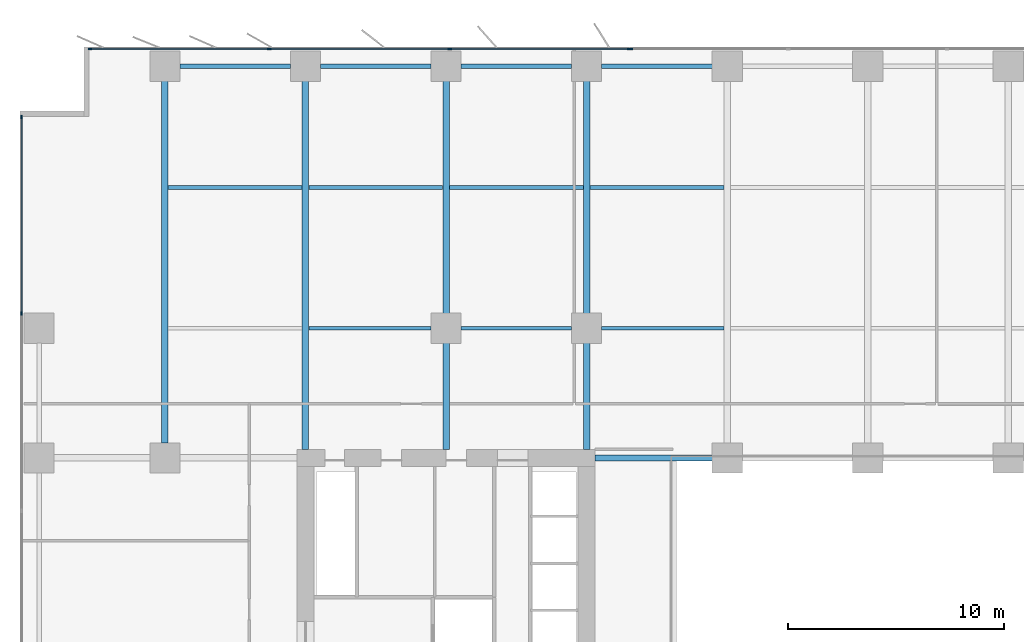
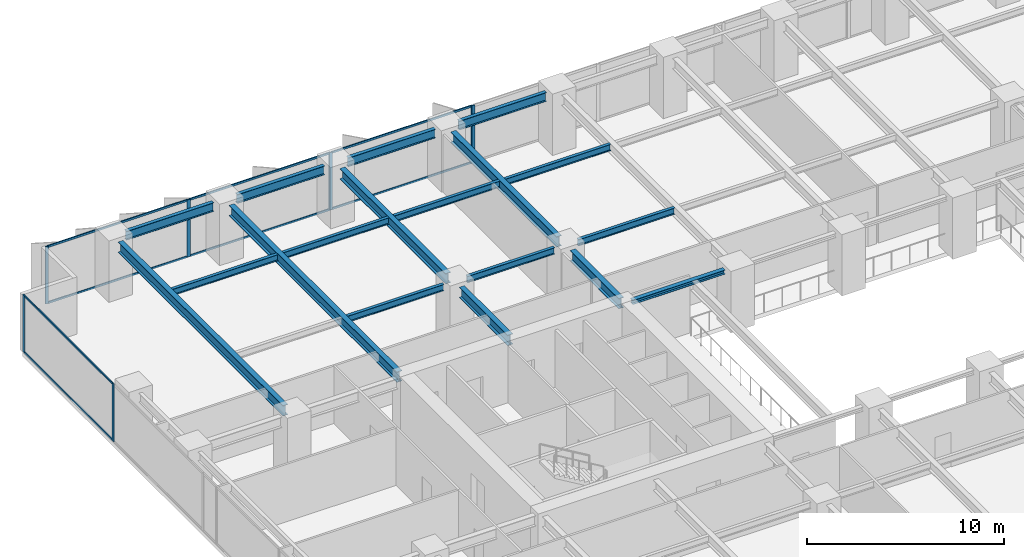
# One storey, part 7 of 20: 18 beams, 15 members, 3 elements without a shape of their own.
"""IFC4 building model written with IfcOpenShell, lengths in metres."""

from ifc_helpers import new_model, si_unit, direction, frame, origin, origin_2d, place, context, subcontext, project, spatial, rectangle, i_section, extrude, material, layer, layer_set, material_profile, profile_set, type_object, element, aggregate, save


model = new_model("IFC4")

# Units and contexts
model_context = context("Model", 3, precision=1e-05, world=origin(), true_north=direction((0.0, 1.0)))
body_context = subcontext(model_context, "Body", "Model", "MODEL_VIEW")
ifc_project = project(units=[si_unit("LENGTHUNIT", "METRE"), si_unit("AREAUNIT", "SQUARE_METRE"), si_unit("VOLUMEUNIT", "CUBIC_METRE"), si_unit("PLANEANGLEUNIT", "RADIAN"), si_unit("MASSUNIT", "GRAM", prefix="KILO")], contexts=[model_context])

# Site, building, storey
site_placement = place(None, origin())
site = spatial("IfcSite", under=ifc_project, at=site_placement, CompositionType="ELEMENT")
building_placement = place(site_placement, origin())
building = spatial("IfcBuilding", under=site, at=building_placement, Name="Putna Gate Headquarters", CompositionType="ELEMENT")
storey_placement = place(building_placement, frame((0.0, 0.0, 58.199951171875)))
storey = spatial("IfcBuildingStorey", under=building, at=storey_placement, Name="L13", CompositionType="ELEMENT", Elevation=58.199951171875)

# Beams
ifc_material_1 = material(Name="Steel S355J2", Category="steel")
ifc_material_profile_1 = material_profile(ifc_material_1, i_section(OverallWidth=0.260009765625, OverallDepth=0.260009765625, WebThickness=0.010009765625, FlangeThickness=0.017578125, at=origin_2d()), Name="Steel S355J2")
ifc_profile_set_1 = profile_set([ifc_material_profile_1], Name="Steel S355J2")
beam_type_1 = type_object("IfcBeamType", Name="BM-ATRIUM-HEB260", PredefinedType="BEAM", material=ifc_profile_set_1)
beam_1_placement = place(storey_placement, frame((26.385009765625, 33.0, 3.420166015625), z_axis=(1.0, 0.0, 0.0), x_axis=(0.0, 1.0, 0.0)))
element("IfcBeam", 1, at=beam_1_placement, inside=storey, type_object=beam_type_1, Name="L13 Atrium Edge Beam AN1", PredefinedType="BEAM", context=body_context, shape_type="SweptSolid", body=[
    extrude(i_section(OverallWidth=0.260009765625, OverallDepth=0.260009765625, WebThickness=0.010009765625, FlangeThickness=0.017578125, at=origin_2d()), origin(), (0.0, 0.0, 1.0), 5.427001953125),
])
ifc_material_profile_2 = material_profile(ifc_material_1, i_section(OverallWidth=0.300048828125, OverallDepth=0.64990234375, WebThickness=0.01611328125, FlangeThickness=0.031005859375, at=origin_2d()), Name="Steel S355J2")
ifc_profile_set_2 = profile_set([ifc_material_profile_2], Name="Steel S355J2")
beam_type_2 = type_object("IfcBeamType", Name="BM-GIRD-Z1-HEB650", PredefinedType="USERDEFINED", material=ifc_profile_set_2)
beam_2_placement = place(storey_placement, frame((6.5, 33.68798828125, 3.22509765625), z_axis=(0.0, 1.0, 0.0), x_axis=(-1.0, 0.0, 0.0)))
element("IfcBeam", 2, at=beam_2_placement, inside=storey, type_object=beam_type_2, Name="L13 North Primary Girder X6", ObjectType="GIRDER", PredefinedType="USERDEFINED", context=body_context, shape_type="SweptSolid", body=[
    extrude(i_section(OverallWidth=0.300048828125, OverallDepth=0.64990234375, WebThickness=0.01611328125, FlangeThickness=0.031005859375, at=origin_2d()), origin(), (0.0, 0.0, 1.0), 16.743896484375),
])
beam_3_placement = place(storey_placement, frame((13.0, 33.385009765625, 3.22509765625), z_axis=(0.0, 1.0, 0.0), x_axis=(-1.0, 0.0, 0.0)))
element("IfcBeam", 3, at=beam_3_placement, inside=storey, type_object=beam_type_2, Name="L13 North Primary Girder X13", ObjectType="GIRDER", PredefinedType="USERDEFINED", context=body_context, shape_type="SweptSolid", body=[
    extrude(i_section(OverallWidth=0.300048828125, OverallDepth=0.64990234375, WebThickness=0.01611328125, FlangeThickness=0.031005859375, at=origin_2d()), origin(), (0.0, 0.0, 1.0), 17.046875),
])
beam_4_placement = place(storey_placement, frame((19.5, 33.385009765625, 3.22509765625), z_axis=(0.0, 1.0, 0.0), x_axis=(-1.0, 0.0, 0.0)))
element("IfcBeam", 4, at=beam_4_placement, inside=storey, type_object=beam_type_2, Name="L13 North Primary Girder X19-1", ObjectType="GIRDER", PredefinedType="USERDEFINED", context=body_context, shape_type="SweptSolid", body=[
    extrude(i_section(OverallWidth=0.300048828125, OverallDepth=0.64990234375, WebThickness=0.01611328125, FlangeThickness=0.031005859375, at=origin_2d()), origin(), (0.0, 0.0, 1.0), 4.927001953125),
])
beam_5_placement = place(storey_placement, frame((19.5, 39.68798828125, 3.22509765625), z_axis=(0.0, 1.0, 0.0), x_axis=(-1.0, 0.0, 0.0)))
element("IfcBeam", 5, at=beam_5_placement, inside=storey, type_object=beam_type_2, Name="L13 North Primary Girder X19-2", ObjectType="GIRDER", PredefinedType="USERDEFINED", context=body_context, shape_type="SweptSolid", body=[
    extrude(i_section(OverallWidth=0.300048828125, OverallDepth=0.64990234375, WebThickness=0.01611328125, FlangeThickness=0.031005859375, at=origin_2d()), origin(), (0.0, 0.0, 1.0), 10.743896484375),
])
beam_6_placement = place(storey_placement, frame((26.0, 33.385009765625, 3.22509765625), z_axis=(0.0, 1.0, 0.0), x_axis=(-1.0, 0.0, 0.0)))
element("IfcBeam", 6, at=beam_6_placement, inside=storey, type_object=beam_type_2, Name="L13 North Primary Girder X26-1", ObjectType="GIRDER", PredefinedType="USERDEFINED", context=body_context, shape_type="SweptSolid", body=[
    extrude(i_section(OverallWidth=0.300048828125, OverallDepth=0.64990234375, WebThickness=0.01611328125, FlangeThickness=0.031005859375, at=origin_2d()), origin(), (0.0, 0.0, 1.0), 4.927001953125),
])
beam_7_placement = place(storey_placement, frame((26.0, 39.68798828125, 3.22509765625), z_axis=(0.0, 1.0, 0.0), x_axis=(-1.0, 0.0, 0.0)))
element("IfcBeam", 7, at=beam_7_placement, inside=storey, type_object=beam_type_2, Name="L13 North Primary Girder X26-2", ObjectType="GIRDER", PredefinedType="USERDEFINED", context=body_context, shape_type="SweptSolid", body=[
    extrude(i_section(OverallWidth=0.300048828125, OverallDepth=0.64990234375, WebThickness=0.01611328125, FlangeThickness=0.031005859375, at=origin_2d()), origin(), (0.0, 0.0, 1.0), 10.743896484375),
])
ifc_material_profile_3 = material_profile(ifc_material_1, i_section(OverallWidth=0.179931640625, OverallDepth=0.39990234375, WebThickness=0.008544921875, FlangeThickness=0.013427734375, at=origin_2d()), Name="Steel S355J2")
ifc_profile_set_3 = profile_set([ifc_material_profile_3], Name="Steel S355J2")
beam_type_3 = type_object("IfcBeamType", Name="BM-SEC-Z1-IPE400", PredefinedType="BEAM", material=ifc_profile_set_3)
beam_8_placement = place(storey_placement, frame((6.654052734375, 45.5, 3.35009765625), z_axis=(1.0, 0.0, 0.0), x_axis=(0.0, 1.0, 0.0)))
element("IfcBeam", 8, at=beam_8_placement, inside=storey, type_object=beam_type_3, Name="L13 North Secondary Beam 1", PredefinedType="BEAM", context=body_context, shape_type="SweptSolid", body=[
    extrude(i_section(OverallWidth=0.179931640625, OverallDepth=0.39990234375, WebThickness=0.008544921875, FlangeThickness=0.013427734375, at=origin_2d()), origin(), (0.0, 0.0, 1.0), 6.19189453125),
])
beam_9_placement = place(storey_placement, frame((13.154052734375, 39.0, 3.35009765625), z_axis=(1.0, 0.0, 0.0), x_axis=(0.0, 1.0, 0.0)))
element("IfcBeam", 9, at=beam_9_placement, inside=storey, type_object=beam_type_3, Name="L13 North Secondary Beam 2", PredefinedType="BEAM", context=body_context, shape_type="SweptSolid", body=[
    extrude(i_section(OverallWidth=0.179931640625, OverallDepth=0.39990234375, WebThickness=0.008544921875, FlangeThickness=0.013427734375, at=origin_2d()), origin(), (0.0, 0.0, 1.0), 5.657958984375),
])
beam_10_placement = place(storey_placement, frame((13.154052734375, 45.5, 3.35009765625), z_axis=(1.0, 0.0, 0.0), x_axis=(0.0, 1.0, 0.0)))
element("IfcBeam", 10, at=beam_10_placement, inside=storey, type_object=beam_type_3, Name="L13 North Secondary Beam 2", PredefinedType="BEAM", context=body_context, shape_type="SweptSolid", body=[
    extrude(i_section(OverallWidth=0.179931640625, OverallDepth=0.39990234375, WebThickness=0.008544921875, FlangeThickness=0.013427734375, at=origin_2d()), origin(), (0.0, 0.0, 1.0), 6.19189453125),
])
beam_11_placement = place(storey_placement, frame((20.18798828125, 39.0, 3.35009765625), z_axis=(1.0, 0.0, 0.0), x_axis=(0.0, 1.0, 0.0)))
element("IfcBeam", 11, at=beam_11_placement, inside=storey, type_object=beam_type_3, Name="L13 North Secondary Beam 3", PredefinedType="BEAM", context=body_context, shape_type="SweptSolid", body=[
    extrude(i_section(OverallWidth=0.179931640625, OverallDepth=0.39990234375, WebThickness=0.008544921875, FlangeThickness=0.013427734375, at=origin_2d()), origin(), (0.0, 0.0, 1.0), 5.1240234375),
])
beam_12_placement = place(storey_placement, frame((19.654052734375, 45.5, 3.35009765625), z_axis=(1.0, 0.0, 0.0), x_axis=(0.0, 1.0, 0.0)))
element("IfcBeam", 12, at=beam_12_placement, inside=storey, type_object=beam_type_3, Name="L13 North Secondary Beam 3", PredefinedType="BEAM", context=body_context, shape_type="SweptSolid", body=[
    extrude(i_section(OverallWidth=0.179931640625, OverallDepth=0.39990234375, WebThickness=0.008544921875, FlangeThickness=0.013427734375, at=origin_2d()), origin(), (0.0, 0.0, 1.0), 6.19189453125),
])
beam_13_placement = place(storey_placement, frame((26.68798828125, 39.0, 3.35009765625), z_axis=(1.0, 0.0, 0.0), x_axis=(0.0, 1.0, 0.0)))
element("IfcBeam", 13, at=beam_13_placement, inside=storey, type_object=beam_type_3, Name="L13 North Secondary Beam 4", PredefinedType="BEAM", context=body_context, shape_type="SweptSolid", body=[
    extrude(i_section(OverallWidth=0.179931640625, OverallDepth=0.39990234375, WebThickness=0.008544921875, FlangeThickness=0.013427734375, at=origin_2d()), origin(), (0.0, 0.0, 1.0), 5.657958984375),
])
beam_14_placement = place(storey_placement, frame((26.154052734375, 45.5, 3.35009765625), z_axis=(1.0, 0.0, 0.0), x_axis=(0.0, 1.0, 0.0)))
element("IfcBeam", 14, at=beam_14_placement, inside=storey, type_object=beam_type_3, Name="L13 North Secondary Beam 4", PredefinedType="BEAM", context=body_context, shape_type="SweptSolid", body=[
    extrude(i_section(OverallWidth=0.179931640625, OverallDepth=0.39990234375, WebThickness=0.008544921875, FlangeThickness=0.013427734375, at=origin_2d()), origin(), (0.0, 0.0, 1.0), 6.19189453125),
])
ifc_material_profile_4 = material_profile(ifc_material_1, i_section(OverallWidth=0.2099609375, OverallDepth=0.550048828125, WebThickness=0.010986328125, FlangeThickness=0.01708984375, at=origin_2d()), Name="Steel S355J2")
ifc_profile_set_4 = profile_set([ifc_material_profile_4], Name="Steel S355J2")
beam_type_4 = type_object("IfcBeamType", Name="BM-SPAN-Z1-IPE550", PredefinedType="SPANDREL", material=ifc_profile_set_4)
for number, where, z_axis, x_axis, name in (
    (15, (7.18798828125, 51.1201171875, 3.275146484375), (1.0, 0.0, 0.0), (0.0, 1.0, 0.0), "L13 N Perimeter Spandrel 1"),
    (16, (13.68798828125, 51.1201171875, 3.275146484375), (1.0, 0.0, 0.0), (0.0, 1.0, 0.0), "L13 N Perimeter Spandrel 2"),
    (17, (20.18798828125, 51.1201171875, 3.275146484375), (1.0, 0.0, 0.0), (0.0, 1.0, 0.0), "L13 N Perimeter Spandrel 3"),
    (18, (26.68798828125, 51.1201171875, 3.275146484375), (1.0, 0.0, 0.0), (0.0, 1.0, 0.0), "L13 N Perimeter Spandrel 4"),
):
    element("IfcBeam", number, at=place(storey_placement, frame(where, z_axis=z_axis, x_axis=x_axis)), inside=storey, type_object=beam_type_4, Name=name, PredefinedType="SPANDREL", context=body_context, shape_type="SweptSolid", body=[
        extrude(i_section(OverallWidth=0.2099609375, OverallDepth=0.550048828125, WebThickness=0.010986328125, FlangeThickness=0.01708984375, at=origin_2d()), origin(), (0.0, 0.0, 1.0), 5.1240234375),
    ])

# Curtain wall, members
ifc_material_2 = material(Name="Anodised bronze aluminium curtain wall", Category="aluminium")
ifc_layer_1 = layer(ifc_material_2, 0.179931640625)
ifc_layer_set_1 = layer_set([ifc_layer_1], Name="Anodised bronze aluminium curtain wall")
curtain_wall_type_1 = type_object("IfcCurtainWallType", Name="CW-SYS-Z1", PredefinedType="USERDEFINED", material=ifc_layer_set_1)
curtain_wall_1_placement = place(storey_placement, origin())
curtain_wall_1 = element("IfcCurtainWall", 19, at=curtain_wall_1_placement, inside=storey, type_object=curtain_wall_type_1, Name="L13 North West Curtain Wall", ObjectType="STICK CURTAIN WALL", PredefinedType="USERDEFINED")
ifc_material_3 = material(Name="Anodised bronze aluminium EN AW-6060", Category="aluminium")
ifc_material_profile_5 = material_profile(ifc_material_3, rectangle(XDim=0.070068359375, YDim=0.179931640625, at=origin_2d()), Name="Anodised bronze aluminium EN AW-6060")
ifc_profile_set_5 = profile_set([ifc_material_profile_5], Name="Anodised bronze aluminium EN AW-6060")
member_type_1 = type_object("IfcMemberType", Name="MULL-CWM-1", PredefinedType="MULLION", material=ifc_profile_set_5)
member_1_placement = place(storey_placement, frame((3.034912109375, 51.919921875, 0.0), z_axis=(0.0, 0.0, 1.0), x_axis=(0.0, 1.0, 0.0)))
member_1 = element("IfcMember", 20, at=member_1_placement, type_object=member_type_1, Name="CWS-1 mullion 1", PredefinedType="MULLION", context=body_context, shape_type="SweptSolid", body=[
    extrude(rectangle(XDim=0.070068359375, YDim=0.179931640625, at=origin_2d()), origin(), (0.0, 0.0, 1.0), 3.550048828125),
])
member_2_placement = place(storey_placement, frame((11.333251953125, 51.919921875, 0.0), z_axis=(0.0, 0.0, 1.0), x_axis=(0.0, 1.0, 0.0)))
member_2 = element("IfcMember", 21, at=member_2_placement, type_object=member_type_1, Name="CWS-1 mullion 2", PredefinedType="MULLION", context=body_context, shape_type="SweptSolid", body=[
    extrude(rectangle(XDim=0.070068359375, YDim=0.179931640625, at=origin_2d()), origin(), (0.0, 0.0, 1.0), 3.550048828125),
])
member_3_placement = place(storey_placement, frame((19.666748046875, 51.919921875, 0.0), z_axis=(0.0, 0.0, 1.0), x_axis=(0.0, 1.0, 0.0)))
member_3 = element("IfcMember", 22, at=member_3_placement, type_object=member_type_1, Name="CWS-1 mullion 3", PredefinedType="MULLION", context=body_context, shape_type="SweptSolid", body=[
    extrude(rectangle(XDim=0.070068359375, YDim=0.179931640625, at=origin_2d()), origin(), (0.0, 0.0, 1.0), 3.550048828125),
])
member_4_placement = place(storey_placement, frame((27.965087890625, 51.919921875, 0.0), z_axis=(0.0, 0.0, 1.0), x_axis=(0.0, 1.0, 0.0)))
member_4 = element("IfcMember", 23, at=member_4_placement, type_object=member_type_1, Name="CWS-1 mullion 4", PredefinedType="MULLION", context=body_context, shape_type="SweptSolid", body=[
    extrude(rectangle(XDim=0.070068359375, YDim=0.179931640625, at=origin_2d()), origin(), (0.0, 0.0, 1.0), 3.550048828125),
])

curtain_wall_2_placement = place(storey_placement, origin())
curtain_wall_2 = element("IfcCurtainWall", 24, at=curtain_wall_2_placement, inside=storey, type_object=curtain_wall_type_1, Name="L13 West Curtain Wall", ObjectType="STICK CURTAIN WALL", PredefinedType="USERDEFINED")
member_5_placement = place(storey_placement, frame((-0.1201171875, 39.679931640625, 0.0), z_axis=(0.0, 0.0, 1.0), x_axis=(-1.0, 0.0, 0.0)))
member_5 = element("IfcMember", 25, at=member_5_placement, type_object=member_type_1, Name="CWS-1 mullion 5", PredefinedType="MULLION", context=body_context, shape_type="SweptSolid", body=[
    extrude(rectangle(XDim=0.070068359375, YDim=0.179931640625, at=origin_2d()), origin(), (0.0, 0.0, 1.0), 3.550048828125),
])
member_6_placement = place(storey_placement, frame((-0.1201171875, 48.764892578125, 0.0), z_axis=(0.0, 0.0, 1.0), x_axis=(-1.0, 0.0, 0.0)))
member_6 = element("IfcMember", 26, at=member_6_placement, type_object=member_type_1, Name="CWS-1 mullion 6", PredefinedType="MULLION", context=body_context, shape_type="SweptSolid", body=[
    extrude(rectangle(XDim=0.070068359375, YDim=0.179931640625, at=origin_2d()), origin(), (0.0, 0.0, 1.0), 3.550048828125),
])

# Curtain wall, member
ifc_layer_2 = layer(ifc_material_2, 0.179931640625)
ifc_layer_set_2 = layer_set([ifc_layer_2], Name="Anodised bronze aluminium curtain wall")
curtain_wall_type_2 = type_object("IfcCurtainWallType", Name="CW-SYS-ATR", PredefinedType="USERDEFINED", material=ifc_layer_set_2)
curtain_wall_3_placement = place(storey_placement, origin())
curtain_wall_3 = element("IfcCurtainWall", 27, at=curtain_wall_3_placement, inside=storey, type_object=curtain_wall_type_2, Name="L13 North Atrium Clear Glazing", ObjectType="ATRIUM GLAZING", PredefinedType="USERDEFINED")
ifc_material_profile_6 = material_profile(ifc_material_3, rectangle(XDim=0.070068359375, YDim=0.179931640625, at=origin_2d()), Name="Anodised bronze aluminium EN AW-6060")
ifc_profile_set_6 = profile_set([ifc_material_profile_6], Name="Anodised bronze aluminium EN AW-6060")
member_type_2 = type_object("IfcMemberType", Name="MULL-CWM-AT", PredefinedType="MULLION", material=ifc_profile_set_6)
member_7_placement = place(storey_placement, frame((28.034912109375, 51.919921875, 0.0), z_axis=(0.0, 0.0, 1.0), x_axis=(0.0, 1.0, 0.0)))
member_7 = element("IfcMember", 28, at=member_7_placement, type_object=member_type_2, Name="CWS-AT mullion 1", PredefinedType="MULLION", context=body_context, shape_type="SweptSolid", body=[
    extrude(rectangle(XDim=0.070068359375, YDim=0.179931640625, at=origin_2d()), origin(), (0.0, 0.0, 1.0), 3.550048828125),
])
aggregate(curtain_wall_3, [member_7])

# Member
ifc_material_profile_7 = material_profile(ifc_material_3, rectangle(XDim=0.06494140625, YDim=0.1201171875, at=origin_2d()), Name="Anodised bronze aluminium EN AW-6060")
ifc_profile_set_7 = profile_set([ifc_material_profile_7], Name="Anodised bronze aluminium EN AW-6060")
member_type_3 = type_object("IfcMemberType", Name="TRAN-CWT-1", PredefinedType="USERDEFINED", material=ifc_profile_set_7)
member_8_placement = place(storey_placement, frame((3.070068359375, 51.919921875, 0.032470703125), z_axis=(1.0, 0.0, 0.0), x_axis=(0.0, 1.0, 0.0)))
member_8 = element("IfcMember", 29, at=member_8_placement, type_object=member_type_3, Name="CWS-1 transom 1.1", ObjectType="TRANSOM", PredefinedType="USERDEFINED", context=body_context, shape_type="SweptSolid", body=[
    extrude(rectangle(XDim=0.06494140625, YDim=0.1201171875, at=origin_2d()), origin(), (0.0, 0.0, 1.0), 8.228271484375),
])

member_9_placement = place(storey_placement, frame((3.070068359375, 51.919921875, 3.517578125), z_axis=(1.0, 0.0, 0.0), x_axis=(0.0, 1.0, 0.0)))
member_9 = element("IfcMember", 30, at=member_9_placement, type_object=member_type_3, Name="CWS-1 transom 1.2", ObjectType="TRANSOM", PredefinedType="USERDEFINED", context=body_context, shape_type="SweptSolid", body=[
    extrude(rectangle(XDim=0.06494140625, YDim=0.1201171875, at=origin_2d()), origin(), (0.0, 0.0, 1.0), 8.228271484375),
])

member_10_placement = place(storey_placement, frame((11.368408203125, 51.919921875, 0.032470703125), z_axis=(1.0, 0.0, 0.0), x_axis=(0.0, 1.0, 0.0)))
member_10 = element("IfcMember", 31, at=member_10_placement, type_object=member_type_3, Name="CWS-1 transom 2.1", ObjectType="TRANSOM", PredefinedType="USERDEFINED", context=body_context, shape_type="SweptSolid", body=[
    extrude(rectangle(XDim=0.06494140625, YDim=0.1201171875, at=origin_2d()), origin(), (0.0, 0.0, 1.0), 8.26318359375),
])

member_11_placement = place(storey_placement, frame((11.368408203125, 51.919921875, 3.517578125), z_axis=(1.0, 0.0, 0.0), x_axis=(0.0, 1.0, 0.0)))
member_11 = element("IfcMember", 32, at=member_11_placement, type_object=member_type_3, Name="CWS-1 transom 2.2", ObjectType="TRANSOM", PredefinedType="USERDEFINED", context=body_context, shape_type="SweptSolid", body=[
    extrude(rectangle(XDim=0.06494140625, YDim=0.1201171875, at=origin_2d()), origin(), (0.0, 0.0, 1.0), 8.26318359375),
])

member_12_placement = place(storey_placement, frame((19.70166015625, 51.919921875, 0.032470703125), z_axis=(1.0, 0.0, 0.0), x_axis=(0.0, 1.0, 0.0)))
member_12 = element("IfcMember", 33, at=member_12_placement, type_object=member_type_3, Name="CWS-1 transom 3.1", ObjectType="TRANSOM", PredefinedType="USERDEFINED", context=body_context, shape_type="SweptSolid", body=[
    extrude(rectangle(XDim=0.06494140625, YDim=0.1201171875, at=origin_2d()), origin(), (0.0, 0.0, 1.0), 8.228271484375),
])

member_13_placement = place(storey_placement, frame((19.70166015625, 51.919921875, 3.517578125), z_axis=(1.0, 0.0, 0.0), x_axis=(0.0, 1.0, 0.0)))
member_13 = element("IfcMember", 34, at=member_13_placement, type_object=member_type_3, Name="CWS-1 transom 3.2", ObjectType="TRANSOM", PredefinedType="USERDEFINED", context=body_context, shape_type="SweptSolid", body=[
    extrude(rectangle(XDim=0.06494140625, YDim=0.1201171875, at=origin_2d()), origin(), (0.0, 0.0, 1.0), 8.228271484375),
])

aggregate(curtain_wall_1, [member_1, member_2, member_3, member_4, member_8, member_9, member_10, member_11, member_12, member_13])

member_14_placement = place(storey_placement, frame((-0.1201171875, 39.715087890625, 0.032470703125), z_axis=(0.0, 1.0, 0.0), x_axis=(-1.0, 0.0, 0.0)))
member_14 = element("IfcMember", 35, at=member_14_placement, type_object=member_type_3, Name="CWS-1 transom 5.1", ObjectType="TRANSOM", PredefinedType="USERDEFINED", context=body_context, shape_type="SweptSolid", body=[
    extrude(rectangle(XDim=0.06494140625, YDim=0.1201171875, at=origin_2d()), origin(), (0.0, 0.0, 1.0), 9.014892578125),
])

member_15_placement = place(storey_placement, frame((-0.1201171875, 39.715087890625, 3.517578125), z_axis=(0.0, 1.0, 0.0), x_axis=(-1.0, 0.0, 0.0)))
member_15 = element("IfcMember", 36, at=member_15_placement, type_object=member_type_3, Name="CWS-1 transom 5.2", ObjectType="TRANSOM", PredefinedType="USERDEFINED", context=body_context, shape_type="SweptSolid", body=[
    extrude(rectangle(XDim=0.06494140625, YDim=0.1201171875, at=origin_2d()), origin(), (0.0, 0.0, 1.0), 9.014892578125),
])

aggregate(curtain_wall_2, [member_5, member_6, member_14, member_15])

save(model, "model.ifc")
